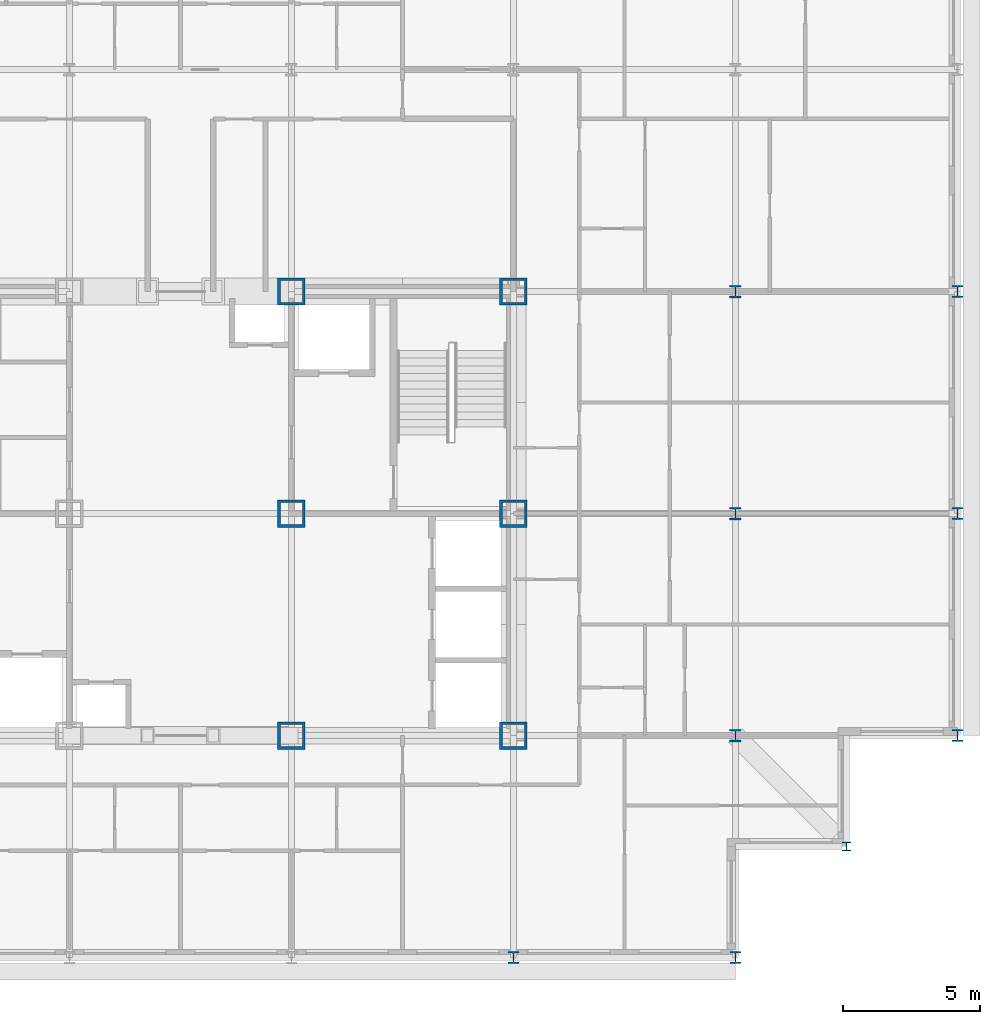
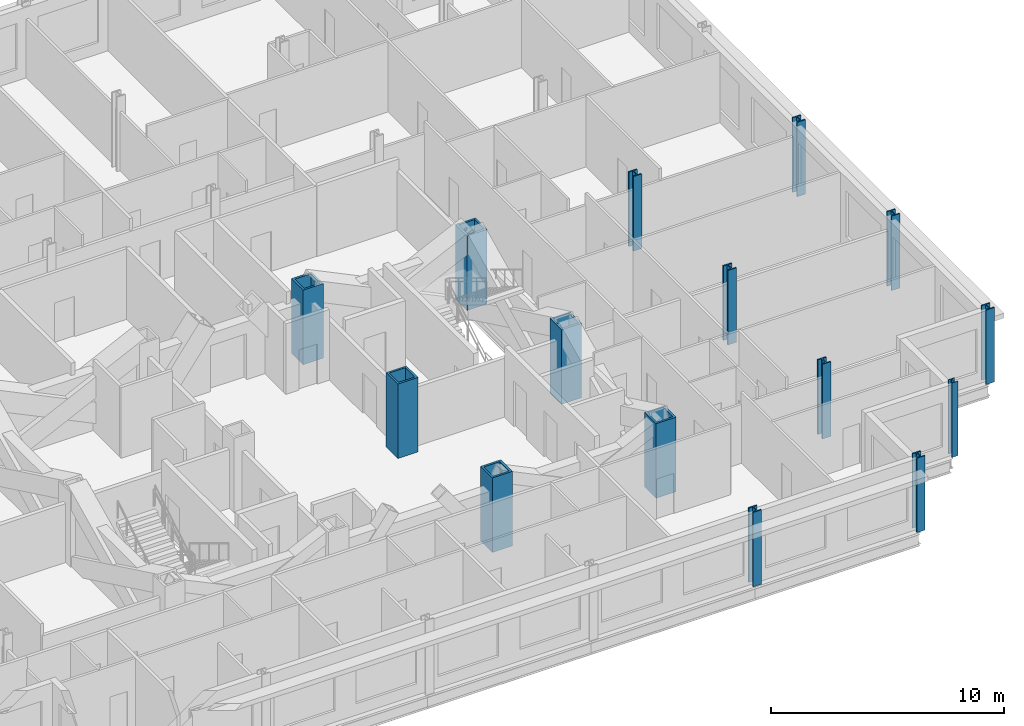
# One storey, part 2 of 16: 15 columns.
"""IFC4 building model written with IfcOpenShell, lengths in metres."""

from ifc_helpers import new_model, si_unit, direction, frame, origin, origin_2d, place, context, subcontext, project, spatial, hollow_rectangle, i_section, extrude, material, material_profile, profile_set, type_object, element, save


model = new_model("IFC4")

# Units and contexts
model_context = context("Model", 3, precision=1e-05, world=origin(), true_north=direction((0.0, 1.0)))
body_context = subcontext(model_context, "Body", "Model", "MODEL_VIEW")
ifc_project = project(units=[si_unit("LENGTHUNIT", "METRE"), si_unit("AREAUNIT", "SQUARE_METRE"), si_unit("VOLUMEUNIT", "CUBIC_METRE"), si_unit("PLANEANGLEUNIT", "RADIAN"), si_unit("MASSUNIT", "GRAM", prefix="KILO")], contexts=[model_context])

# Site, building, storey
site_placement = place(None, origin())
site = spatial("IfcSite", under=ifc_project, at=site_placement, CompositionType="ELEMENT")
building_placement = place(site_placement, origin())
building = spatial("IfcBuilding", under=site, at=building_placement, Name="Kopane Lantern Tower", CompositionType="ELEMENT")
storey_placement = place(building_placement, frame((0.0, 0.0, 261.89990234375)))
storey = spatial("IfcBuildingStorey", under=building, at=storey_placement, Name="L67", CompositionType="ELEMENT", Elevation=261.89990234375)

# Columns
ifc_material_1 = material(Name="Steel S355JR", Category="steel")
ifc_material_profile_1 = material_profile(ifc_material_1, hollow_rectangle(XDim=1.0, YDim=1.0, WallThickness=0.10009765625, at=origin_2d()), Name="BOX 1000x1000x100")
ifc_profile_set_1 = profile_set([ifc_material_profile_1], Name="Steel S355JR")
column_type_1 = type_object("IfcColumnType", Name="COLUMN BOX 1000x1000x100", PredefinedType="COLUMN", material=ifc_profile_set_1)
for number, where, z_axis, x_axis, name in (
    (1, (32.39990234375, 24.300048828125, 0.0), (0.0, 0.0, 1.0), (1.0, 0.0, 0.0), "Column 6/E L67"),
    (2, (32.39990234375, 32.39990234375, 0.0), (0.0, 0.0, 1.0), (1.0, 0.0, 0.0), "Column 6/F L67"),
    (3, (32.39990234375, 40.5, 0.0), (0.0, 0.0, 1.0), (1.0, 0.0, 0.0), "Column 6/G L67"),
    (4, (40.5, 24.300048828125, 0.0), (0.0, 0.0, 1.0), (1.0, 0.0, 0.0), "Column 7/E L67"),
    (5, (40.5, 32.39990234375, 0.0), (0.0, 0.0, 1.0), (1.0, 0.0, 0.0), "Column 7/F L67"),
    (6, (40.5, 40.5, 0.0), (0.0, 0.0, 1.0), (1.0, 0.0, 0.0), "Column 7/G L67"),
):
    element("IfcColumn", number, at=place(storey_placement, frame(where, z_axis=z_axis, x_axis=x_axis)), inside=storey, type_object=column_type_1, Name=name, PredefinedType="COLUMN", context=body_context, shape_type="SweptSolid", body=[
        extrude(hollow_rectangle(XDim=1.0, YDim=1.0, WallThickness=0.10009765625, at=origin_2d()), origin(), (0.0, 0.0, 1.0), 3.900146484375),
    ])
ifc_material_2 = material(Name="Steel S355JR", Category="steel")
ifc_material_profile_2 = material_profile(ifc_material_2, i_section(OverallWidth=0.307373046875, OverallDepth=0.314453125, WebThickness=0.011962890625, FlangeThickness=0.018798828125, FilletRadius=0.01513671875, at=origin_2d()), Name="UC 305x305x118")
ifc_profile_set_2 = profile_set([ifc_material_profile_2], Name="Steel S355JR")
column_type_2 = type_object("IfcColumnType", Name="COLUMN UC 305x305x118", PredefinedType="COLUMN", material=ifc_profile_set_2)
column_placement = place(storey_placement, frame((52.64990234375, 20.25, 0.0), z_axis=(0.0, 0.0, 1.0), x_axis=(1.0, 0.0, 0.0)))
element("IfcColumn", 7, at=column_placement, inside=storey, type_object=column_type_2, Name="Column 52.65/20.25 L67", PredefinedType="COLUMN", context=body_context, shape_type="SweptSolid", body=[
    extrude(i_section(OverallWidth=0.307373046875, OverallDepth=0.314453125, WebThickness=0.011962890625, FlangeThickness=0.018798828125, FilletRadius=0.01513671875, at=origin_2d()), origin(), (0.0, 0.0, 1.0), 3.900146484375),
])
ifc_material_3 = material(Name="Steel S355JR", Category="steel")
ifc_material_profile_3 = material_profile(ifc_material_3, i_section(OverallWidth=0.412109375, OverallDepth=0.4365234375, WebThickness=0.035888671875, FlangeThickness=0.05810546875, FilletRadius=0.01513671875, at=origin_2d()), Name="UC 356x406x467")
ifc_profile_set_3 = profile_set([ifc_material_profile_3], Name="Steel S355JR")
column_type_3 = type_object("IfcColumnType", Name="COLUMN UC 356x406x467", PredefinedType="COLUMN", material=ifc_profile_set_3)
for number, where, z_axis, x_axis, name in (
    (8, (40.5, 16.199951171875, 0.0), (0.0, 0.0, 1.0), (1.0, 0.0, 0.0), "Column 7/D L67"),
    (9, (48.60009765625, 16.199951171875, 0.0), (0.0, 0.0, 1.0), (1.0, 0.0, 0.0), "Column 8/D L67"),
    (10, (56.699951171875, 24.300048828125, 0.0), (0.0, 0.0, 1.0), (1.0, 0.0, 0.0), "Column 9/E L67"),
    (11, (56.699951171875, 32.39990234375, 0.0), (0.0, 0.0, 1.0), (1.0, 0.0, 0.0), "Column 9/F L67"),
    (12, (56.699951171875, 40.5, 0.0), (0.0, 0.0, 1.0), (1.0, 0.0, 0.0), "Column 9/G L67"),
):
    element("IfcColumn", number, at=place(storey_placement, frame(where, z_axis=z_axis, x_axis=x_axis)), inside=storey, type_object=column_type_3, Name=name, PredefinedType="COLUMN", context=body_context, shape_type="SweptSolid", body=[
        extrude(i_section(OverallWidth=0.412109375, OverallDepth=0.4365234375, WebThickness=0.035888671875, FlangeThickness=0.05810546875, FilletRadius=0.01513671875, at=origin_2d()), origin(), (0.0, 0.0, 1.0), 3.900146484375),
    ])
ifc_material_4 = material(Name="Steel S355JR", Category="steel")
ifc_material_profile_4 = material_profile(ifc_material_4, i_section(OverallWidth=0.41845703125, OverallDepth=0.45556640625, WebThickness=0.0419921875, FlangeThickness=0.0673828125, FilletRadius=0.01513671875, at=origin_2d()), Name="UC 356x406x551")
ifc_profile_set_4 = profile_set([ifc_material_profile_4], Name="Steel S355JR")
column_type_4 = type_object("IfcColumnType", Name="COLUMN UC 356x406x551", PredefinedType="COLUMN", material=ifc_profile_set_4)
for number, where, z_axis, x_axis, name in (
    (13, (48.60009765625, 24.300048828125, 0.0), (0.0, 0.0, 1.0), (1.0, 0.0, 0.0), "Column 8/E L67"),
    (14, (48.60009765625, 32.39990234375, 0.0), (0.0, 0.0, 1.0), (1.0, 0.0, 0.0), "Column 8/F L67"),
    (15, (48.60009765625, 40.5, 0.0), (0.0, 0.0, 1.0), (1.0, 0.0, 0.0), "Column 8/G L67"),
):
    element("IfcColumn", number, at=place(storey_placement, frame(where, z_axis=z_axis, x_axis=x_axis)), inside=storey, type_object=column_type_4, Name=name, PredefinedType="COLUMN", context=body_context, shape_type="SweptSolid", body=[
        extrude(i_section(OverallWidth=0.41845703125, OverallDepth=0.45556640625, WebThickness=0.0419921875, FlangeThickness=0.0673828125, FilletRadius=0.01513671875, at=origin_2d()), origin(), (0.0, 0.0, 1.0), 3.900146484375),
    ])

save(model, "model.ifc")
